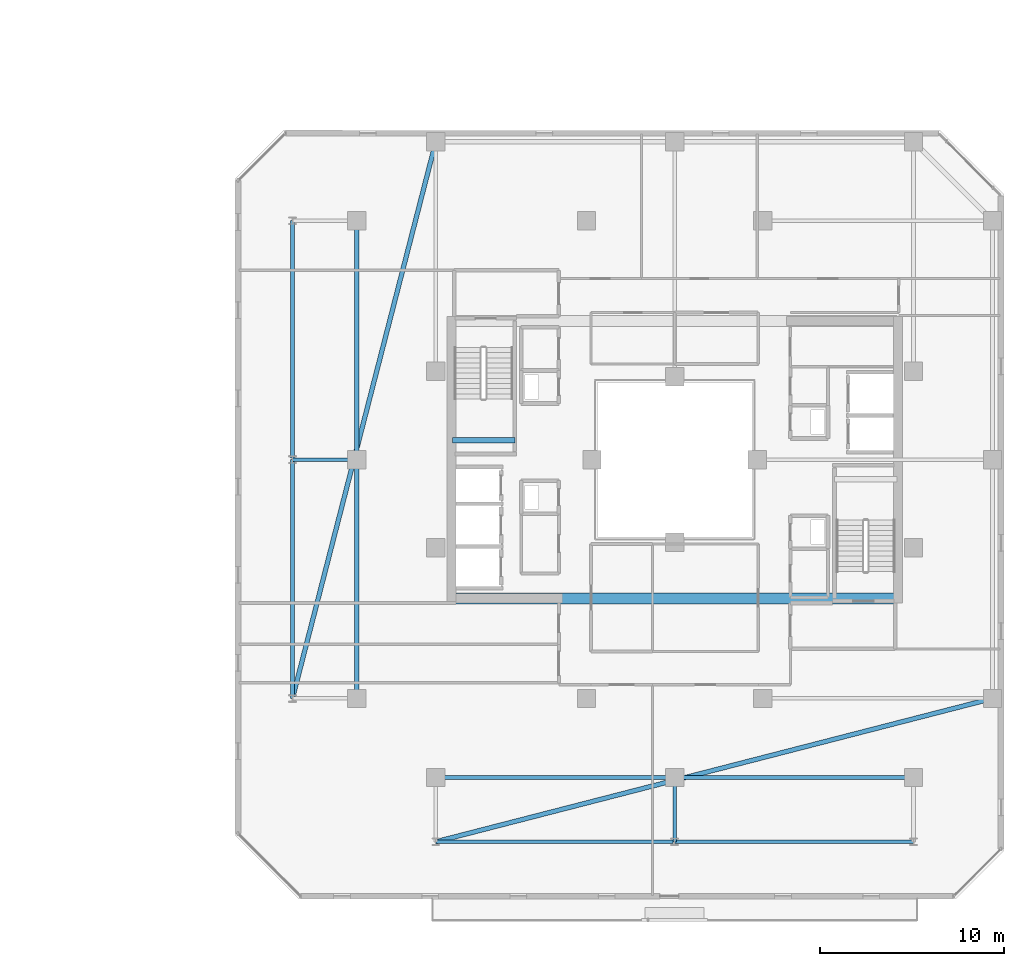
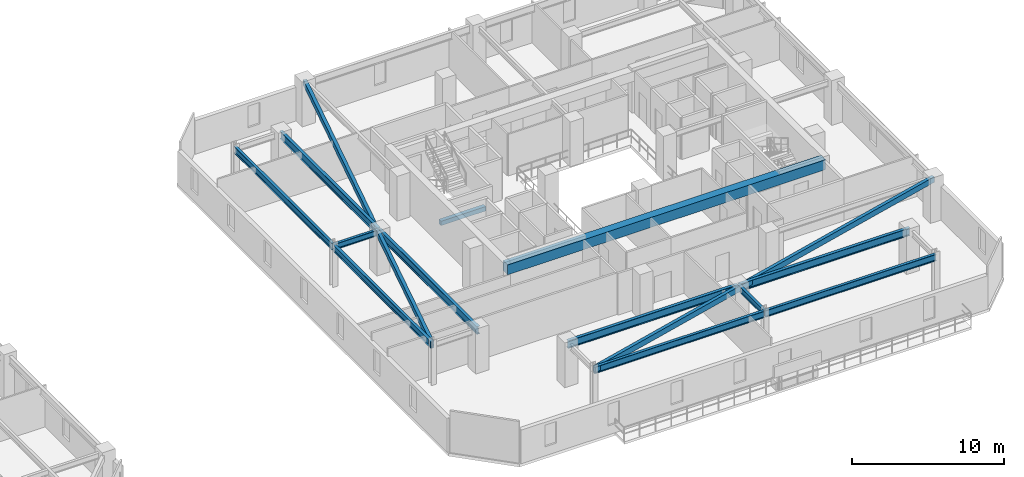
# One storey, part 12 of 33: 14 beams.
"""IFC4 building model written with IfcOpenShell, lengths in metres."""

from ifc_helpers import new_model, si_unit, direction, frame, origin, origin_2d, place, context, subcontext, project, spatial, rectangle, hollow_rectangle, i_section, extrude, material, material_profile, profile_set, type_object, element, save


model = new_model("IFC4")

# Units and contexts
model_context = context("Model", 3, precision=1e-05, world=origin(), true_north=direction((0.0, 1.0)))
body_context = subcontext(model_context, "Body", "Model", "MODEL_VIEW")
ifc_project = project(units=[si_unit("LENGTHUNIT", "METRE"), si_unit("AREAUNIT", "SQUARE_METRE"), si_unit("VOLUMEUNIT", "CUBIC_METRE"), si_unit("PLANEANGLEUNIT", "RADIAN"), si_unit("MASSUNIT", "GRAM", prefix="KILO")], contexts=[model_context])

# Site, building, storey
site_placement = place(None, origin())
site = spatial("IfcSite", under=ifc_project, at=site_placement, CompositionType="ELEMENT")
building_placement = place(site_placement, origin())
building = spatial("IfcBuilding", under=site, at=building_placement, Name="Thornwick Lancets Civic Towers", CompositionType="ELEMENT")
storey_placement = place(building_placement, frame((0.0, 0.0, 210.89990234375)))
storey = spatial("IfcBuildingStorey", under=building, at=storey_placement, Name="L56", CompositionType="ELEMENT", Elevation=210.89990234375)

# Beams
ifc_material_1 = material(Name="Concrete C60/75", Category="concrete")
ifc_material_profile_1 = material_profile(ifc_material_1, rectangle(XDim=0.60009765625, YDim=0.800048828125, at=origin_2d()), Name="RC 600x800")
ifc_profile_set_1 = profile_set([ifc_material_profile_1], Name="Concrete C60/75")
beam_type_1 = type_object("IfcBeamType", Name="BM_COUP_RC800", PredefinedType="BEAM", material=ifc_profile_set_1)
beam_1_placement = place(storey_placement, frame((76.39990234375, 19.449951171875, 2.960205078125), z_axis=(1.0, 0.0, 0.0), x_axis=(0.0, 1.0, 0.0)))
element("IfcBeam", 1, at=beam_1_placement, inside=storey, type_object=beam_type_1, Name="CB-L56-B2", PredefinedType="BEAM", context=body_context, shape_type="SweptSolid", body=[
    extrude(rectangle(XDim=0.60009765625, YDim=0.800048828125, at=origin_2d()), origin(), (0.0, 0.0, 1.0), 24.2001953125),
])
ifc_material_2 = material(Name="Steel S355JR", Category="steel")
ifc_material_profile_2 = material_profile(ifc_material_2, i_section(OverallWidth=0.210693359375, OverallDepth=0.53955078125, WebThickness=0.01171875, FlangeThickness=0.018798828125, FilletRadius=0.0126953125, at=origin_2d()), Name="UKB 533x210x109")
ifc_profile_set_2 = profile_set([ifc_material_profile_2], Name="Steel S355JR")
beam_type_2 = type_object("IfcBeamType", Name="BM_EDGE_533_109", PredefinedType="SPANDREL", material=ifc_profile_set_2)
beam_2_placement = place(storey_placement, frame((67.699951171875, 14.0, 3.09033203125), z_axis=(0.0, 1.0, 0.0), x_axis=(-1.0, 0.0, 0.0)))
element("IfcBeam", 2, at=beam_2_placement, inside=storey, type_object=beam_type_2, Name="BM-EDGE-L56-B-S2-1", PredefinedType="SPANDREL", context=body_context, shape_type="SweptSolid", body=[
    extrude(i_section(OverallWidth=0.210693359375, OverallDepth=0.53955078125, WebThickness=0.01171875, FlangeThickness=0.018798828125, FilletRadius=0.0126953125, at=origin_2d()), origin(), (0.0, 0.0, 1.0), 13.0),
])
beam_3_placement = place(storey_placement, frame((67.699951171875, 27.080078125, 3.09033203125), z_axis=(0.0, 1.0, 0.0), x_axis=(-1.0, 0.0, 0.0)))
element("IfcBeam", 3, at=beam_3_placement, inside=storey, type_object=beam_type_2, Name="BM-EDGE-L56-B-S2-2", PredefinedType="SPANDREL", context=body_context, shape_type="SweptSolid", body=[
    extrude(i_section(OverallWidth=0.210693359375, OverallDepth=0.53955078125, WebThickness=0.01171875, FlangeThickness=0.018798828125, FilletRadius=0.0126953125, at=origin_2d()), origin(), (0.0, 0.0, 1.0), 12.919921875),
])
beam_4_placement = place(storey_placement, frame((101.5, 6.199951171875, 3.09033203125), z_axis=(-1.0, 0.0, 0.0), x_axis=(0.0, -1.0, 0.0)))
element("IfcBeam", 4, at=beam_4_placement, inside=storey, type_object=beam_type_2, Name="BM-EDGE-L56-B-S3-1", PredefinedType="SPANDREL", context=body_context, shape_type="SweptSolid", body=[
    extrude(i_section(OverallWidth=0.210693359375, OverallDepth=0.53955078125, WebThickness=0.01171875, FlangeThickness=0.018798828125, FilletRadius=0.0126953125, at=origin_2d()), origin(), (0.0, 0.0, 1.0), 13.0),
])
beam_5_placement = place(storey_placement, frame((88.419921875, 6.199951171875, 3.09033203125), z_axis=(-1.0, 0.0, 0.0), x_axis=(0.0, -1.0, 0.0)))
element("IfcBeam", 5, at=beam_5_placement, inside=storey, type_object=beam_type_2, Name="BM-EDGE-L56-B-S3-2", PredefinedType="SPANDREL", context=body_context, shape_type="SweptSolid", body=[
    extrude(i_section(OverallWidth=0.210693359375, OverallDepth=0.53955078125, WebThickness=0.01171875, FlangeThickness=0.018798828125, FilletRadius=0.0126953125, at=origin_2d()), origin(), (0.0, 0.0, 1.0), 12.919921875),
])
ifc_material_profile_3 = material_profile(ifc_material_2, i_section(OverallWidth=0.230224609375, OverallDepth=0.6171875, WebThickness=0.01318359375, FlangeThickness=0.022216796875, FilletRadius=0.0126953125, at=origin_2d()), Name="UKB 610x229x140")
ifc_profile_set_3 = profile_set([ifc_material_profile_3], Name="Steel S355JR")
beam_type_3 = type_object("IfcBeamType", Name="BM_GIRD_610_140", PredefinedType="BEAM", material=ifc_profile_set_3)
beam_6_placement = place(storey_placement, frame((71.199951171875, 14.0, 3.051513671875), z_axis=(0.0, 1.0, 0.0), x_axis=(-1.0, 0.0, 0.0)))
element("IfcBeam", 6, at=beam_6_placement, inside=storey, type_object=beam_type_3, Name="BM-SPINE-L56-B-6-7", PredefinedType="BEAM", context=body_context, shape_type="SweptSolid", body=[
    extrude(i_section(OverallWidth=0.230224609375, OverallDepth=0.6171875, WebThickness=0.01318359375, FlangeThickness=0.022216796875, FilletRadius=0.0126953125, at=origin_2d()), origin(), (0.0, 0.0, 1.0), 13.0),
])
beam_7_placement = place(storey_placement, frame((71.199951171875, 27.080078125, 3.051513671875), z_axis=(0.0, 1.0, 0.0), x_axis=(-1.0, 0.0, 0.0)))
element("IfcBeam", 7, at=beam_7_placement, inside=storey, type_object=beam_type_3, Name="BM-SPINE-L56-B-7-8", PredefinedType="BEAM", context=body_context, shape_type="SweptSolid", body=[
    extrude(i_section(OverallWidth=0.230224609375, OverallDepth=0.6171875, WebThickness=0.01318359375, FlangeThickness=0.022216796875, FilletRadius=0.0126953125, at=origin_2d()), origin(), (0.0, 0.0, 1.0), 12.919921875),
])
beam_8_placement = place(storey_placement, frame((101.5, 9.699951171875, 3.051513671875), z_axis=(-1.0, 0.0, 0.0), x_axis=(0.0, -1.0, 0.0)))
element("IfcBeam", 8, at=beam_8_placement, inside=storey, type_object=beam_type_3, Name="BM-SPINE-L56-B-9-10", PredefinedType="BEAM", context=body_context, shape_type="SweptSolid", body=[
    extrude(i_section(OverallWidth=0.230224609375, OverallDepth=0.6171875, WebThickness=0.01318359375, FlangeThickness=0.022216796875, FilletRadius=0.0126953125, at=origin_2d()), origin(), (0.0, 0.0, 1.0), 13.0),
])
beam_9_placement = place(storey_placement, frame((88.419921875, 9.699951171875, 3.051513671875), z_axis=(-1.0, 0.0, 0.0), x_axis=(0.0, -1.0, 0.0)))
element("IfcBeam", 9, at=beam_9_placement, inside=storey, type_object=beam_type_3, Name="BM-SPINE-L56-B-10-11", PredefinedType="BEAM", context=body_context, shape_type="SweptSolid", body=[
    extrude(i_section(OverallWidth=0.230224609375, OverallDepth=0.6171875, WebThickness=0.01318359375, FlangeThickness=0.022216796875, FilletRadius=0.0126953125, at=origin_2d()), origin(), (0.0, 0.0, 1.0), 12.919921875),
])
ifc_material_profile_4 = material_profile(ifc_material_2, i_section(OverallWidth=0.19287109375, OverallDepth=0.46728515625, WebThickness=0.011474609375, FlangeThickness=0.01953125, FilletRadius=0.01025390625, at=origin_2d()), Name="UKB 457x191x98")
ifc_profile_set_4 = profile_set([ifc_material_profile_4], Name="Steel S355JR")
beam_type_4 = type_object("IfcBeamType", Name="BM_JOIST_457_98", PredefinedType="JOIST", material=ifc_profile_set_4)
for number, where, z_axis, x_axis, name in (
    (10, (71.199951171875, 27.0, 3.12646484375), (-1.0, 0.0, 0.0), (0.0, -1.0, 0.0), "BM-RAD-L56-B08"),
    (11, (88.5, 9.699951171875, 3.12646484375), (0.0, -1.0, 0.0), (1.0, 0.0, 0.0), "BM-RAD-L56-B11"),
):
    element("IfcBeam", number, at=place(storey_placement, frame(where, z_axis=z_axis, x_axis=x_axis)), inside=storey, type_object=beam_type_4, Name=name, PredefinedType="JOIST", context=body_context, shape_type="SweptSolid", body=[
        extrude(i_section(OverallWidth=0.19287109375, OverallDepth=0.46728515625, WebThickness=0.011474609375, FlangeThickness=0.01953125, FilletRadius=0.01025390625, at=origin_2d()), origin(), (0.0, 0.0, 1.0), 3.5),
    ])
ifc_material_profile_5 = material_profile(ifc_material_2, hollow_rectangle(XDim=0.25, YDim=0.449951171875, WallThickness=0.01611328125, at=origin_2d()), Name="RHS 450x250x16")
ifc_profile_set_5 = profile_set([ifc_material_profile_5], Name="Steel S355JR")
beam_type_5 = type_object("IfcBeamType", Name="BM_RING_RHS450", PredefinedType="BEAM", material=ifc_profile_set_5)
for number, where, z_axis, x_axis, name in (
    (12, (75.5, 44.300048828125, 3.135009765625), (-0.249299080716, -0.96842654257, 0.0), (0.96842654257, -0.249299080716, 0.0), "BM-CHAMF-L56-B-C1"),
    (13, (75.5, 6.199951171875, 3.135009765625), (0.96842654257, 0.249299080716, 0.0), (-0.249299080716, 0.96842654257, 0.0), "BM-CHAMF-L56-B-C3"),
):
    element("IfcBeam", number, at=place(storey_placement, frame(where, z_axis=z_axis, x_axis=x_axis)), inside=storey, type_object=beam_type_5, Name=name, PredefinedType="BEAM", context=body_context, shape_type="SweptSolid", body=[
        extrude(hollow_rectangle(XDim=0.25, YDim=0.449951171875, WallThickness=0.01611328125, at=origin_2d()), origin(), (0.0, 0.0, 1.0), 31.287841796875),
    ])
ifc_material_3 = material(Name="Concrete C40/50", Category="concrete")
ifc_material_profile_6 = material_profile(ifc_material_3, rectangle(XDim=0.300048828125, YDim=0.35009765625, at=origin_2d()), Name="RC 300x350")
ifc_profile_set_6 = profile_set([ifc_material_profile_6], Name="Concrete C40/50")
beam_type_6 = type_object("IfcBeamType", Name="BM_STAIR_LDG", PredefinedType="BEAM", material=ifc_profile_set_6)
beam_10_placement = place(storey_placement, frame((76.39990234375, 28.06494140625, 1.378173828125), z_axis=(1.0, 0.0, 0.0), x_axis=(0.0, 1.0, 0.0)))
element("IfcBeam", 14, at=beam_10_placement, inside=storey, type_object=beam_type_6, Name="L56 ST-B2 Landing Support Beam 1", PredefinedType="BEAM", context=body_context, shape_type="SweptSolid", body=[
    extrude(rectangle(XDim=0.300048828125, YDim=0.35009765625, at=origin_2d()), origin(), (0.0, 0.0, 1.0), 3.400146484375),
])

save(model, "model.ifc")
